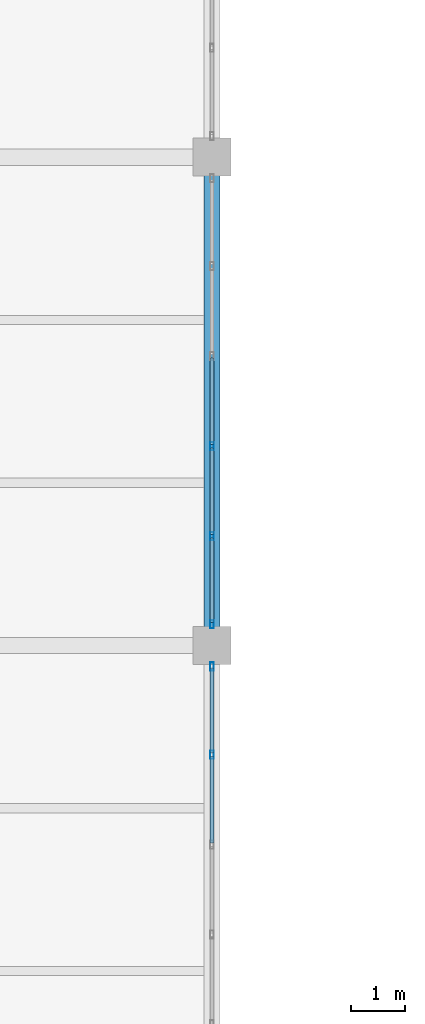
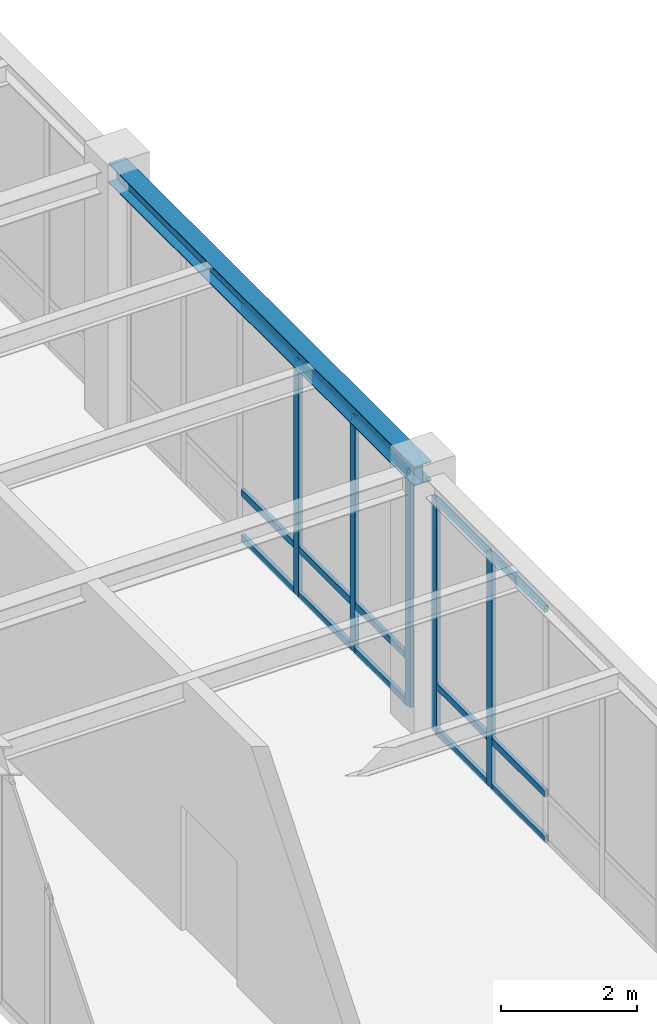
# One storey, part 42 of 92: 20 members, 1 beam, 2 elements without a shape of their own.
"""IFC4 building model written with IfcOpenShell, lengths in metres."""

from ifc_helpers import new_model, si_unit, direction, frame, origin, origin_2d, place, context, subcontext, project, spatial, hollow_rectangle, i_section, extrude, material, material_profile, profile_set, type_object, element, aggregate, save


model = new_model("IFC4")

# Units and contexts
model_context = context("Model", 3, precision=1e-05, world=origin(), true_north=direction((0.0, 1.0)))
body_context = subcontext(model_context, "Body", "Model", "MODEL_VIEW")
ifc_project = project(units=[si_unit("LENGTHUNIT", "METRE"), si_unit("AREAUNIT", "SQUARE_METRE"), si_unit("VOLUMEUNIT", "CUBIC_METRE"), si_unit("PLANEANGLEUNIT", "RADIAN"), si_unit("MASSUNIT", "GRAM", prefix="KILO")], contexts=[model_context])

# Site, building, storey
site_placement = place(None, origin())
site = spatial("IfcSite", under=ifc_project, at=site_placement, CompositionType="ELEMENT")
building_placement = place(site_placement, origin())
building = spatial("IfcBuilding", under=site, at=building_placement, Name="Lykobir Media Centre", CompositionType="ELEMENT")
storey_placement = place(building_placement, frame((0.0, 0.0, 5.39990234375)))
storey = spatial("IfcBuildingStorey", under=building, at=storey_placement, Name="L01", CompositionType="ELEMENT", Elevation=5.39990234375)

# Beam
ifc_material_1 = material(Name="Steel S355", Category="steel")
ifc_material_profile_1 = material_profile(ifc_material_1, i_section(OverallWidth=0.300048828125, OverallDepth=0.35009765625, WebThickness=0.010009765625, FlangeThickness=0.017578125, at=origin_2d()), Name="HEA 360")
ifc_profile_set_1 = profile_set([ifc_material_profile_1], Name="Steel S355")
beam_type = type_object("IfcBeamType", Name="BM-HEA360", PredefinedType="BEAM", material=ifc_profile_set_1)
beam_placement = place(storey_placement, frame((99.0, 27.0, 4.385009765625), z_axis=(0.0, 1.0, 0.0), x_axis=(-1.0, 0.0, 0.0)))
element("IfcBeam", 1, at=beam_placement, inside=storey, type_object=beam_type, Name="Beam BM-L01-0990-0270-0990-0360-978", PredefinedType="BEAM", context=body_context, shape_type="SweptSolid", body=[
    extrude(i_section(OverallWidth=0.300048828125, OverallDepth=0.35009765625, WebThickness=0.010009765625, FlangeThickness=0.017578125, at=origin_2d()), origin(), (0.0, 0.0, 1.0), 9.0),
])

# Curtain wall, members
ifc_material_2 = material(Name="Anodized Aluminium AW-6060", Category="aluminium")
curtain_wall_type = type_object("IfcCurtainWallType", Name="CW-COURT-A", PredefinedType="NOTDEFINED", material=ifc_material_2)
curtain_wall_1_placement = place(storey_placement, origin())
curtain_wall_1 = element("IfcCurtainWall", 2, at=curtain_wall_1_placement, inside=storey, type_object=curtain_wall_type, Name="Curtain wall CW2-L01-0031", PredefinedType="NOTDEFINED")
ifc_material_profile_2 = material_profile(ifc_material_2, hollow_rectangle(XDim=0.06494140625, YDim=0.14990234375, WallThickness=0.00341796875, at=origin_2d()), Name="ALU MULLION 65x150")
ifc_profile_set_2 = profile_set([ifc_material_profile_2], Name="Anodized Aluminium AW-6060")
member_type_1 = type_object("IfcMemberType", Name="CWM-150", PredefinedType="MULLION", material=ifc_profile_set_2)
member_1_placement = place(storey_placement, frame((99.0, 26.612548828125, 0.0), z_axis=(0.0, 0.0, 1.0), x_axis=(1.0, 0.0, 0.0)))
member_1 = element("IfcMember", 3, at=member_1_placement, type_object=member_type_1, Name="CW2-L01-0031 mullion 1", PredefinedType="MULLION", context=body_context, shape_type="SweptSolid", body=[
    extrude(hollow_rectangle(XDim=0.06494140625, YDim=0.14990234375, WallThickness=0.00341796875, at=origin_2d()), origin(), (0.0, 0.0, 1.0), 4.195068359375),
])
member_2_placement = place(storey_placement, frame((99.0, 24.987060546875, 0.0), z_axis=(0.0, 0.0, 1.0), x_axis=(1.0, 0.0, 0.0)))
member_2 = element("IfcMember", 4, at=member_2_placement, type_object=member_type_1, Name="CW2-L01-0031 mullion 2", PredefinedType="MULLION", context=body_context, shape_type="SweptSolid", body=[
    extrude(hollow_rectangle(XDim=0.06494140625, YDim=0.14990234375, WallThickness=0.00341796875, at=origin_2d()), origin(), (0.0, 0.0, 1.0), 4.195068359375),
])

curtain_wall_2_placement = place(storey_placement, origin())
curtain_wall_2 = element("IfcCurtainWall", 5, at=curtain_wall_2_placement, inside=storey, type_object=curtain_wall_type, Name="Curtain wall CW2-L01-0032", PredefinedType="NOTDEFINED")
member_3_placement = place(storey_placement, frame((99.0, 30.6708984375, 0.0), z_axis=(0.0, 0.0, 1.0), x_axis=(1.0, 0.0, 0.0)))
member_3 = element("IfcMember", 6, at=member_3_placement, type_object=member_type_1, Name="CW2-L01-0032 mullion 4", PredefinedType="MULLION", context=body_context, shape_type="SweptSolid", body=[
    extrude(hollow_rectangle(XDim=0.06494140625, YDim=0.14990234375, WallThickness=0.00341796875, at=origin_2d()), origin(), (0.0, 0.0, 1.0), 4.195068359375),
])
member_4_placement = place(storey_placement, frame((99.0, 29.012939453125, 0.0), z_axis=(0.0, 0.0, 1.0), x_axis=(1.0, 0.0, 0.0)))
member_4 = element("IfcMember", 7, at=member_4_placement, type_object=member_type_1, Name="CW2-L01-0032 mullion 5", PredefinedType="MULLION", context=body_context, shape_type="SweptSolid", body=[
    extrude(hollow_rectangle(XDim=0.06494140625, YDim=0.14990234375, WallThickness=0.00341796875, at=origin_2d()), origin(), (0.0, 0.0, 1.0), 4.195068359375),
])
member_5_placement = place(storey_placement, frame((99.0, 27.387451171875, 0.0), z_axis=(0.0, 0.0, 1.0), x_axis=(1.0, 0.0, 0.0)))
member_5 = element("IfcMember", 8, at=member_5_placement, type_object=member_type_1, Name="CW2-L01-0032 mullion 6", PredefinedType="MULLION", context=body_context, shape_type="SweptSolid", body=[
    extrude(hollow_rectangle(XDim=0.06494140625, YDim=0.14990234375, WallThickness=0.00341796875, at=origin_2d()), origin(), (0.0, 0.0, 1.0), 4.195068359375),
])

# Member
ifc_material_profile_3 = material_profile(ifc_material_2, hollow_rectangle(XDim=0.06494140625, YDim=0.1201171875, WallThickness=0.0029296875, at=origin_2d()), Name="ALU TRANSOM 65x120")
ifc_profile_set_3 = profile_set([ifc_material_profile_3], Name="Anodized Aluminium AW-6060")
member_type_2 = type_object("IfcMemberType", Name="CWT-120", PredefinedType="USERDEFINED", material=ifc_profile_set_3)
member_6_placement = place(storey_placement, frame((99.0, 26.580078125, 0.03271484375), z_axis=(0.0, -1.0, 0.0), x_axis=(1.0, 0.0, 0.0)))
member_6 = element("IfcMember", 9, at=member_6_placement, type_object=member_type_2, Name="CW2-L01-0031 transom 1.1", ObjectType="TRANSOM", PredefinedType="USERDEFINED", context=body_context, shape_type="SweptSolid", body=[
    extrude(hollow_rectangle(XDim=0.06494140625, YDim=0.1201171875, WallThickness=0.0029296875, at=origin_2d()), origin(), (0.0, 0.0, 1.0), 1.560546875),
])

member_7_placement = place(storey_placement, frame((99.0, 26.580078125, 0.85009765625), z_axis=(0.0, -1.0, 0.0), x_axis=(1.0, 0.0, 0.0)))
member_7 = element("IfcMember", 10, at=member_7_placement, type_object=member_type_2, Name="CW2-L01-0031 transom 1.2", ObjectType="TRANSOM", PredefinedType="USERDEFINED", context=body_context, shape_type="SweptSolid", body=[
    extrude(hollow_rectangle(XDim=0.06494140625, YDim=0.1201171875, WallThickness=0.0029296875, at=origin_2d()), origin(), (0.0, 0.0, 1.0), 1.560546875),
])

member_8_placement = place(storey_placement, frame((99.0, 26.580078125, 4.16259765625), z_axis=(0.0, -1.0, 0.0), x_axis=(1.0, 0.0, 0.0)))
member_8 = element("IfcMember", 11, at=member_8_placement, type_object=member_type_2, Name="CW2-L01-0031 transom 1.3", ObjectType="TRANSOM", PredefinedType="USERDEFINED", context=body_context, shape_type="SweptSolid", body=[
    extrude(hollow_rectangle(XDim=0.06494140625, YDim=0.1201171875, WallThickness=0.0029296875, at=origin_2d()), origin(), (0.0, 0.0, 1.0), 1.560546875),
])

member_9_placement = place(storey_placement, frame((99.0, 24.95458984375, 0.03271484375), z_axis=(0.0, -1.0, 0.0), x_axis=(1.0, 0.0, 0.0)))
member_9 = element("IfcMember", 12, at=member_9_placement, type_object=member_type_2, Name="CW2-L01-0031 transom 2.1", ObjectType="TRANSOM", PredefinedType="USERDEFINED", context=body_context, shape_type="SweptSolid", body=[
    extrude(hollow_rectangle(XDim=0.06494140625, YDim=0.1201171875, WallThickness=0.0029296875, at=origin_2d()), origin(), (0.0, 0.0, 1.0), 1.593017578125),
])

member_10_placement = place(storey_placement, frame((99.0, 24.95458984375, 0.85009765625), z_axis=(0.0, -1.0, 0.0), x_axis=(1.0, 0.0, 0.0)))
member_10 = element("IfcMember", 13, at=member_10_placement, type_object=member_type_2, Name="CW2-L01-0031 transom 2.2", ObjectType="TRANSOM", PredefinedType="USERDEFINED", context=body_context, shape_type="SweptSolid", body=[
    extrude(hollow_rectangle(XDim=0.06494140625, YDim=0.1201171875, WallThickness=0.0029296875, at=origin_2d()), origin(), (0.0, 0.0, 1.0), 1.593017578125),
])

member_11_placement = place(storey_placement, frame((99.0, 24.95458984375, 4.16259765625), z_axis=(0.0, -1.0, 0.0), x_axis=(1.0, 0.0, 0.0)))
member_11 = element("IfcMember", 14, at=member_11_placement, type_object=member_type_2, Name="CW2-L01-0031 transom 2.3", ObjectType="TRANSOM", PredefinedType="USERDEFINED", context=body_context, shape_type="SweptSolid", body=[
    extrude(hollow_rectangle(XDim=0.06494140625, YDim=0.1201171875, WallThickness=0.0029296875, at=origin_2d()), origin(), (0.0, 0.0, 1.0), 1.593017578125),
])

aggregate(curtain_wall_1, [member_1, member_2, member_6, member_7, member_8, member_9, member_10, member_11])

member_12_placement = place(storey_placement, frame((99.0, 32.29638671875, 0.03271484375), z_axis=(0.0, -1.0, 0.0), x_axis=(1.0, 0.0, 0.0)))
member_12 = element("IfcMember", 15, at=member_12_placement, type_object=member_type_2, Name="CW2-L01-0032 transom 3.1", ObjectType="TRANSOM", PredefinedType="USERDEFINED", context=body_context, shape_type="SweptSolid", body=[
    extrude(hollow_rectangle(XDim=0.06494140625, YDim=0.1201171875, WallThickness=0.0029296875, at=origin_2d()), origin(), (0.0, 0.0, 1.0), 1.5927734375),
])

member_13_placement = place(storey_placement, frame((99.0, 32.29638671875, 0.85009765625), z_axis=(0.0, -1.0, 0.0), x_axis=(1.0, 0.0, 0.0)))
member_13 = element("IfcMember", 16, at=member_13_placement, type_object=member_type_2, Name="CW2-L01-0032 transom 3.2", ObjectType="TRANSOM", PredefinedType="USERDEFINED", context=body_context, shape_type="SweptSolid", body=[
    extrude(hollow_rectangle(XDim=0.06494140625, YDim=0.1201171875, WallThickness=0.0029296875, at=origin_2d()), origin(), (0.0, 0.0, 1.0), 1.5927734375),
])

member_14_placement = place(storey_placement, frame((99.0, 32.29638671875, 4.16259765625), z_axis=(0.0, -1.0, 0.0), x_axis=(1.0, 0.0, 0.0)))
member_14 = element("IfcMember", 17, at=member_14_placement, type_object=member_type_2, Name="CW2-L01-0032 transom 3.3", ObjectType="TRANSOM", PredefinedType="USERDEFINED", context=body_context, shape_type="SweptSolid", body=[
    extrude(hollow_rectangle(XDim=0.06494140625, YDim=0.1201171875, WallThickness=0.0029296875, at=origin_2d()), origin(), (0.0, 0.0, 1.0), 1.5927734375),
])

member_15_placement = place(storey_placement, frame((99.0, 30.638427734375, 0.03271484375), z_axis=(0.0, -1.0, 0.0), x_axis=(1.0, 0.0, 0.0)))
member_15 = element("IfcMember", 18, at=member_15_placement, type_object=member_type_2, Name="CW2-L01-0032 transom 4.1", ObjectType="TRANSOM", PredefinedType="USERDEFINED", context=body_context, shape_type="SweptSolid", body=[
    extrude(hollow_rectangle(XDim=0.06494140625, YDim=0.1201171875, WallThickness=0.0029296875, at=origin_2d()), origin(), (0.0, 0.0, 1.0), 1.593017578125),
])

member_16_placement = place(storey_placement, frame((99.0, 30.638427734375, 0.85009765625), z_axis=(0.0, -1.0, 0.0), x_axis=(1.0, 0.0, 0.0)))
member_16 = element("IfcMember", 19, at=member_16_placement, type_object=member_type_2, Name="CW2-L01-0032 transom 4.2", ObjectType="TRANSOM", PredefinedType="USERDEFINED", context=body_context, shape_type="SweptSolid", body=[
    extrude(hollow_rectangle(XDim=0.06494140625, YDim=0.1201171875, WallThickness=0.0029296875, at=origin_2d()), origin(), (0.0, 0.0, 1.0), 1.593017578125),
])

member_17_placement = place(storey_placement, frame((99.0, 30.638427734375, 4.16259765625), z_axis=(0.0, -1.0, 0.0), x_axis=(1.0, 0.0, 0.0)))
member_17 = element("IfcMember", 20, at=member_17_placement, type_object=member_type_2, Name="CW2-L01-0032 transom 4.3", ObjectType="TRANSOM", PredefinedType="USERDEFINED", context=body_context, shape_type="SweptSolid", body=[
    extrude(hollow_rectangle(XDim=0.06494140625, YDim=0.1201171875, WallThickness=0.0029296875, at=origin_2d()), origin(), (0.0, 0.0, 1.0), 1.593017578125),
])

member_18_placement = place(storey_placement, frame((99.0, 28.98046875, 0.03271484375), z_axis=(0.0, -1.0, 0.0), x_axis=(1.0, 0.0, 0.0)))
member_18 = element("IfcMember", 21, at=member_18_placement, type_object=member_type_2, Name="CW2-L01-0032 transom 5.1", ObjectType="TRANSOM", PredefinedType="USERDEFINED", context=body_context, shape_type="SweptSolid", body=[
    extrude(hollow_rectangle(XDim=0.06494140625, YDim=0.1201171875, WallThickness=0.0029296875, at=origin_2d()), origin(), (0.0, 0.0, 1.0), 1.560546875),
])

member_19_placement = place(storey_placement, frame((99.0, 28.98046875, 0.85009765625), z_axis=(0.0, -1.0, 0.0), x_axis=(1.0, 0.0, 0.0)))
member_19 = element("IfcMember", 22, at=member_19_placement, type_object=member_type_2, Name="CW2-L01-0032 transom 5.2", ObjectType="TRANSOM", PredefinedType="USERDEFINED", context=body_context, shape_type="SweptSolid", body=[
    extrude(hollow_rectangle(XDim=0.06494140625, YDim=0.1201171875, WallThickness=0.0029296875, at=origin_2d()), origin(), (0.0, 0.0, 1.0), 1.560546875),
])

member_20_placement = place(storey_placement, frame((99.0, 28.98046875, 4.16259765625), z_axis=(0.0, -1.0, 0.0), x_axis=(1.0, 0.0, 0.0)))
member_20 = element("IfcMember", 23, at=member_20_placement, type_object=member_type_2, Name="CW2-L01-0032 transom 5.3", ObjectType="TRANSOM", PredefinedType="USERDEFINED", context=body_context, shape_type="SweptSolid", body=[
    extrude(hollow_rectangle(XDim=0.06494140625, YDim=0.1201171875, WallThickness=0.0029296875, at=origin_2d()), origin(), (0.0, 0.0, 1.0), 1.560546875),
])

aggregate(curtain_wall_2, [member_3, member_4, member_5, member_12, member_13, member_14, member_15, member_16, member_17, member_18, member_19, member_20])

save(model, "model.ifc")
